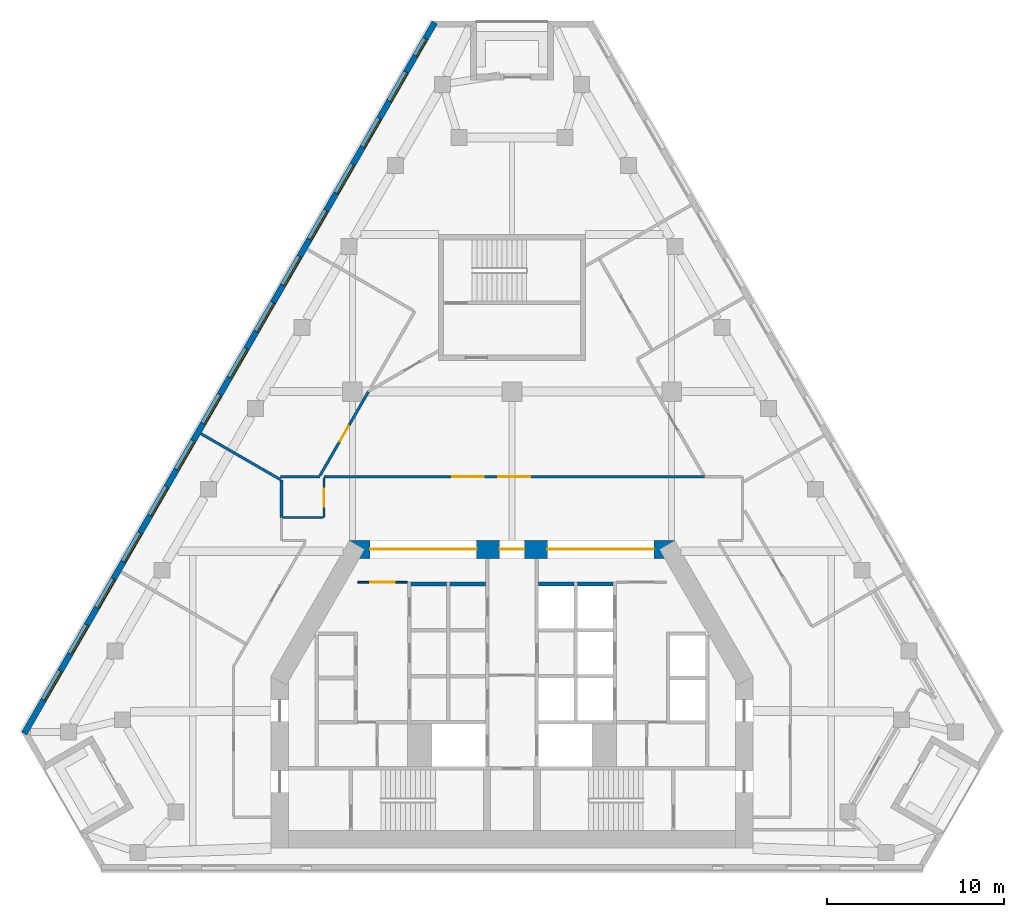
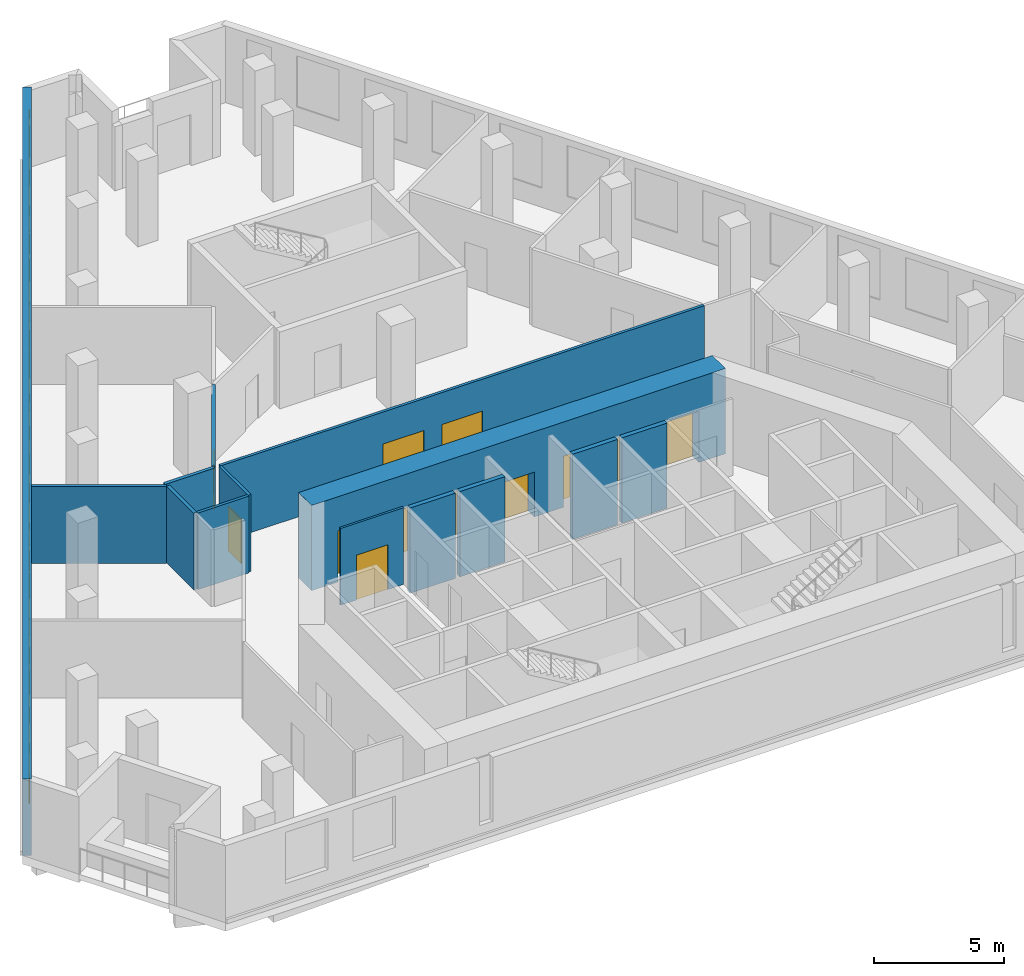
# One storey, part 5 of 9: 15 windows, 14 walls, 8 doors, 23 openings.
"""IFC4 building model written with IfcOpenShell, lengths in metres."""

from ifc_helpers import new_model, si_unit, direction, frame, frame_2d, origin, place, context, subcontext, project, spatial, rectangle, extrude, material, layer, layer_set, type_object, element, fill, save


model = new_model("IFC4")

# Units and contexts
model_context = context("Model", 3, precision=1e-05, world=origin(), true_north=direction((0.0, 1.0)))
body_context = subcontext(model_context, "Body", "Model", "MODEL_VIEW")
ifc_project = project(units=[si_unit("LENGTHUNIT", "METRE"), si_unit("AREAUNIT", "SQUARE_METRE"), si_unit("VOLUMEUNIT", "CUBIC_METRE"), si_unit("PLANEANGLEUNIT", "RADIAN"), si_unit("MASSUNIT", "GRAM", prefix="KILO")], contexts=[model_context])

# Site, building, storey
site_placement = place(None, origin())
site = spatial("IfcSite", under=ifc_project, at=site_placement, CompositionType="ELEMENT")
building_placement = place(site_placement, origin())
building = spatial("IfcBuilding", under=site, at=building_placement, Name="Fogline Exchange Tower", CompositionType="ELEMENT")
storey_placement = place(building_placement, frame((0.0, 0.0, 198.10009765625)))
storey = spatial("IfcBuildingStorey", under=building, at=storey_placement, Name="L44", CompositionType="ELEMENT", Elevation=198.10009765625)

# Wall, opening, door
ifc_material_1 = material(Name="Blockwork partition", Category="masonry")
ifc_layer_1 = layer(ifc_material_1, 0.10009765625)
ifc_layer_set_1 = layer_set([ifc_layer_1], Name="CW10")
wall_type_1 = type_object("IfcWallType", Name="CW10", PredefinedType="PARTITIONING", material=ifc_layer_set_1)
wall_1_placement = place(storey_placement, frame((-8.699951171875, 16.25, 0.0), z_axis=(0.0, 0.0, 1.0), x_axis=(1.0, 0.0, 0.0)))
wall_1 = element("IfcWall", 1, at=wall_1_placement, inside=storey, type_object=wall_type_1, Name="Lift lobby partition", PredefinedType="PARTITIONING", context=body_context, shape_type="SweptSolid", body=[
    extrude(rectangle(XDim=2.800048828125, YDim=0.10009765625, at=frame_2d((1.39990234375, 0.0))), origin(), (0.0, 0.0, 1.0), 3.599853515625),
])
opening_1_placement = place(wall_1_placement, frame((0.699951171875, 0.0, 0.0)))
opening_1 = element("IfcOpeningElement", 2, at=opening_1_placement, cuts=wall_1, Name="Opening T14-C011", PredefinedType="OPENING", context=body_context, shape_type="SweptSolid", body=[
    extrude(rectangle(XDim=1.39990234375, YDim=2.10009765625, at=frame_2d((0.699951171875, 1.050048828125))), frame((0.0, 0.06005859375, 0.0), z_axis=(0.0, -1.0, 0.0), x_axis=(1.0, 0.0, 0.0)), (0.0, 0.0, 1.0), 0.1201171875),
])
ifc_material_2 = material(Name="Steel and timber fire door", Category="steel")
door_type_1 = type_object("IfcDoorType", Name="D-LB1", OperationType="DOUBLE_DOOR_SINGLE_SWING", PredefinedType="DOOR", material=ifc_material_2)
door_1_placement = place(opening_1_placement, origin())
door_1 = element("IfcDoor", 3, at=door_1_placement, inside=storey, type_object=door_type_1, Name="Door to lift lobby", OperationType="DOUBLE_DOOR_SINGLE_SWING", OverallHeight=2.10009765625, OverallWidth=1.39990234375, PredefinedType="DOOR", context=body_context, shape_type="SweptSolid", body=[
    extrude(rectangle(XDim=1.39990234375, YDim=2.10009765625, at=frame_2d((0.699951171875, 1.050048828125))), frame((0.0, 0.02490234375, 0.0), z_axis=(0.0, -1.0, 0.0), x_axis=(1.0, 0.0, 0.0)), (0.0, 0.0, 1.0), 0.050048828125),
])
fill(opening_1, door_1)

# Walls
ifc_material_3 = material(Name="Concrete C40", Category="concrete")
ifc_layer_2 = layer(ifc_material_3, 0.199951171875)
ifc_layer_set_2 = layer_set([ifc_layer_2], Name="CW20S")
wall_type_2 = type_object("IfcWallType", Name="CW20S", PredefinedType="SOLIDWALL", material=ifc_layer_set_2)
for number, where, z_axis, x_axis, name in (
    (4, (-5.699951171875, 16.14990234375, -0.400146484375), (0.0, 0.0, 1.0), (1.0, 0.0, 0.0), "Lift shaft wall"),
    (5, (-3.5, 16.14990234375, -0.400146484375), (0.0, 0.0, 1.0), (1.0, 0.0, 0.0), "Lift shaft wall"),
    (6, (3.699951171875, 16.14990234375, -0.400146484375), (0.0, 0.0, 1.0), (1.0, 0.0, 0.0), "Lift shaft wall"),
    (7, (1.5, 16.14990234375, -0.400146484375), (0.0, 0.0, 1.0), (1.0, 0.0, 0.0), "Lift shaft wall"),
):
    element("IfcWall", number, at=place(storey_placement, frame(where, z_axis=z_axis, x_axis=x_axis)), inside=storey, type_object=wall_type_2, Name=name, PredefinedType="SOLIDWALL", context=body_context, shape_type="SweptSolid", body=[
        extrude(rectangle(XDim=2.0, YDim=0.199951171875, at=frame_2d((1.0, 0.0))), origin(), (0.0, 0.0, 1.0), 4.0),
    ])

# Wall, openings, windows
ifc_material_4 = material(Name="Brick masonry", Category="masonry")
ifc_layer_3 = layer(ifc_material_4, 0.340087890625)
ifc_layer_set_3 = layer_set([ifc_layer_3], Name="FW1")
wall_type_3 = type_object("IfcWallType", Name="FW1", PredefinedType="SOLIDWALL", material=ifc_layer_set_3)
wall_2_placement = place(storey_placement, frame((-4.352783203125, 47.821533203125, 0.0), z_axis=(0.0, 0.0, 1.0), x_axis=(-0.500001386688, -0.866024603178, 0.0)))
wall_2 = element("IfcWall", 8, at=wall_2_placement, inside=storey, type_object=wall_type_3, Name="Brick wall L44 W", PredefinedType="SOLIDWALL", context=body_context, shape_type="SweptSolid", body=[
    extrude(rectangle(XDim=46.317626953125, YDim=0.340087890625, at=frame_2d((23.15869140625, 0.0))), origin(), (0.0, 0.0, 1.0), 3.599853515625),
])
opening_2_placement = place(wall_2_placement, frame((3.23828125, 0.0, 0.89990234375)))
opening_2 = element("IfcOpeningElement", 9, at=opening_2_placement, cuts=wall_2, Name="Opening W1", PredefinedType="OPENING", context=body_context, shape_type="SweptSolid", body=[
    extrude(rectangle(XDim=1.885009765625, YDim=2.39990234375, at=frame_2d((0.9423828125, 1.199951171875))), frame((0.0, 0.18017578125, 0.0), z_axis=(0.0, -1.0, 0.0), x_axis=(1.0, 0.0, 0.0)), (0.0, 0.0, 1.0), 0.360107421875),
])
opening_3_placement = place(wall_2_placement, frame((6.23828125, 0.0, 0.89990234375)))
opening_3 = element("IfcOpeningElement", 10, at=opening_3_placement, cuts=wall_2, Name="Opening W1", PredefinedType="OPENING", context=body_context, shape_type="SweptSolid", body=[
    extrude(rectangle(XDim=1.885009765625, YDim=2.39990234375, at=frame_2d((0.9423828125, 1.199951171875))), frame((0.0, 0.18017578125, 0.0), z_axis=(0.0, -1.0, 0.0), x_axis=(1.0, 0.0, 0.0)), (0.0, 0.0, 1.0), 0.360107421875),
])
opening_4_placement = place(wall_2_placement, frame((9.23828125, 0.0, 0.89990234375)))
opening_4 = element("IfcOpeningElement", 11, at=opening_4_placement, cuts=wall_2, Name="Opening W1", PredefinedType="OPENING", context=body_context, shape_type="SweptSolid", body=[
    extrude(rectangle(XDim=1.885009765625, YDim=2.39990234375, at=frame_2d((0.9423828125, 1.199951171875))), frame((0.0, 0.18017578125, 0.0), z_axis=(0.0, -1.0, 0.0), x_axis=(1.0, 0.0, 0.0)), (0.0, 0.0, 1.0), 0.360107421875),
])
opening_5_placement = place(wall_2_placement, frame((12.23828125, 0.0, 0.89990234375)))
opening_5 = element("IfcOpeningElement", 12, at=opening_5_placement, cuts=wall_2, Name="Opening W1", PredefinedType="OPENING", context=body_context, shape_type="SweptSolid", body=[
    extrude(rectangle(XDim=1.885009765625, YDim=2.39990234375, at=frame_2d((0.9423828125, 1.199951171875))), frame((0.0, 0.18017578125, 0.0), z_axis=(0.0, -1.0, 0.0), x_axis=(1.0, 0.0, 0.0)), (0.0, 0.0, 1.0), 0.360107421875),
])
opening_6_placement = place(wall_2_placement, frame((15.23828125, 0.0, 0.89990234375)))
opening_6 = element("IfcOpeningElement", 13, at=opening_6_placement, cuts=wall_2, Name="Opening W1", PredefinedType="OPENING", context=body_context, shape_type="SweptSolid", body=[
    extrude(rectangle(XDim=1.885009765625, YDim=2.39990234375, at=frame_2d((0.9423828125, 1.199951171875))), frame((0.0, 0.18017578125, 0.0), z_axis=(0.0, -1.0, 0.0), x_axis=(1.0, 0.0, 0.0)), (0.0, 0.0, 1.0), 0.360107421875),
])
opening_7_placement = place(wall_2_placement, frame((18.23828125, 0.0, 0.89990234375)))
opening_7 = element("IfcOpeningElement", 14, at=opening_7_placement, cuts=wall_2, Name="Opening W1", PredefinedType="OPENING", context=body_context, shape_type="SweptSolid", body=[
    extrude(rectangle(XDim=1.885009765625, YDim=2.39990234375, at=frame_2d((0.9423828125, 1.199951171875))), frame((0.0, 0.18017578125, 0.0), z_axis=(0.0, -1.0, 0.0), x_axis=(1.0, 0.0, 0.0)), (0.0, 0.0, 1.0), 0.360107421875),
])
opening_8_placement = place(wall_2_placement, frame((21.23828125, 0.0, 0.89990234375)))
opening_8 = element("IfcOpeningElement", 15, at=opening_8_placement, cuts=wall_2, Name="Opening W1", PredefinedType="OPENING", context=body_context, shape_type="SweptSolid", body=[
    extrude(rectangle(XDim=1.885009765625, YDim=2.39990234375, at=frame_2d((0.9423828125, 1.199951171875))), frame((0.0, 0.18017578125, 0.0), z_axis=(0.0, -1.0, 0.0), x_axis=(1.0, 0.0, 0.0)), (0.0, 0.0, 1.0), 0.360107421875),
])
opening_9_placement = place(wall_2_placement, frame((24.23828125, 0.0, 0.89990234375)))
opening_9 = element("IfcOpeningElement", 16, at=opening_9_placement, cuts=wall_2, Name="Opening W1", PredefinedType="OPENING", context=body_context, shape_type="SweptSolid", body=[
    extrude(rectangle(XDim=1.885009765625, YDim=2.39990234375, at=frame_2d((0.9423828125, 1.199951171875))), frame((0.0, 0.18017578125, 0.0), z_axis=(0.0, -1.0, 0.0), x_axis=(1.0, 0.0, 0.0)), (0.0, 0.0, 1.0), 0.360107421875),
])
opening_10_placement = place(wall_2_placement, frame((27.23828125, 0.0, 0.89990234375)))
opening_10 = element("IfcOpeningElement", 17, at=opening_10_placement, cuts=wall_2, Name="Opening W1", PredefinedType="OPENING", context=body_context, shape_type="SweptSolid", body=[
    extrude(rectangle(XDim=1.885009765625, YDim=2.39990234375, at=frame_2d((0.9423828125, 1.199951171875))), frame((0.0, 0.18017578125, 0.0), z_axis=(0.0, -1.0, 0.0), x_axis=(1.0, 0.0, 0.0)), (0.0, 0.0, 1.0), 0.360107421875),
])
opening_11_placement = place(wall_2_placement, frame((30.23828125, 0.0, 0.89990234375)))
opening_11 = element("IfcOpeningElement", 18, at=opening_11_placement, cuts=wall_2, Name="Opening W1", PredefinedType="OPENING", context=body_context, shape_type="SweptSolid", body=[
    extrude(rectangle(XDim=1.885009765625, YDim=2.39990234375, at=frame_2d((0.9423828125, 1.199951171875))), frame((0.0, 0.18017578125, 0.0), z_axis=(0.0, -1.0, 0.0), x_axis=(1.0, 0.0, 0.0)), (0.0, 0.0, 1.0), 0.360107421875),
])
opening_12_placement = place(wall_2_placement, frame((33.23828125, 0.0, 0.89990234375)))
opening_12 = element("IfcOpeningElement", 19, at=opening_12_placement, cuts=wall_2, Name="Opening W1", PredefinedType="OPENING", context=body_context, shape_type="SweptSolid", body=[
    extrude(rectangle(XDim=1.885009765625, YDim=2.39990234375, at=frame_2d((0.9423828125, 1.199951171875))), frame((0.0, 0.18017578125, 0.0), z_axis=(0.0, -1.0, 0.0), x_axis=(1.0, 0.0, 0.0)), (0.0, 0.0, 1.0), 0.360107421875),
])
opening_13_placement = place(wall_2_placement, frame((36.23828125, 0.0, 0.89990234375)))
opening_13 = element("IfcOpeningElement", 20, at=opening_13_placement, cuts=wall_2, Name="Opening W1", PredefinedType="OPENING", context=body_context, shape_type="SweptSolid", body=[
    extrude(rectangle(XDim=1.885009765625, YDim=2.39990234375, at=frame_2d((0.9423828125, 1.199951171875))), frame((0.0, 0.18017578125, 0.0), z_axis=(0.0, -1.0, 0.0), x_axis=(1.0, 0.0, 0.0)), (0.0, 0.0, 1.0), 0.360107421875),
])
opening_14_placement = place(wall_2_placement, frame((39.23828125, 0.0, 0.89990234375)))
opening_14 = element("IfcOpeningElement", 21, at=opening_14_placement, cuts=wall_2, Name="Opening W1", PredefinedType="OPENING", context=body_context, shape_type="SweptSolid", body=[
    extrude(rectangle(XDim=1.885009765625, YDim=2.39990234375, at=frame_2d((0.9423828125, 1.199951171875))), frame((0.0, 0.18017578125, 0.0), z_axis=(0.0, -1.0, 0.0), x_axis=(1.0, 0.0, 0.0)), (0.0, 0.0, 1.0), 0.360107421875),
])
opening_15_placement = place(wall_2_placement, frame((42.23828125, 0.0, 0.89990234375)))
opening_15 = element("IfcOpeningElement", 22, at=opening_15_placement, cuts=wall_2, Name="Opening W1", PredefinedType="OPENING", context=body_context, shape_type="SweptSolid", body=[
    extrude(rectangle(XDim=1.885009765625, YDim=2.39990234375, at=frame_2d((0.9423828125, 1.199951171875))), frame((0.0, 0.18017578125, 0.0), z_axis=(0.0, -1.0, 0.0), x_axis=(1.0, 0.0, 0.0)), (0.0, 0.0, 1.0), 0.360107421875),
])
opening_16_placement = place(wall_2_placement, frame((1.061767578125, 0.0, 0.89990234375)))
opening_16 = element("IfcOpeningElement", 23, at=opening_16_placement, cuts=wall_2, Name="Opening W4", PredefinedType="OPENING", context=body_context, shape_type="SweptSolid", body=[
    extrude(rectangle(XDim=1.114990234375, YDim=2.39990234375, at=frame_2d((0.5576171875, 1.199951171875))), frame((0.0, 0.18017578125, 0.0), z_axis=(0.0, -1.0, 0.0), x_axis=(1.0, 0.0, 0.0)), (0.0, 0.0, 1.0), 0.360107421875),
])
ifc_material_5 = material(Name="Aluminium and glass", Category="aluminium")
window_type_1 = type_object("IfcWindowType", Name="W1", PartitioningType="SINGLE_PANEL", PredefinedType="WINDOW", material=ifc_material_5)
window_1_placement = place(opening_2_placement, origin())
window_1 = element("IfcWindow", 24, at=window_1_placement, inside=storey, type_object=window_type_1, Name="W1 W1", OverallHeight=2.39990234375, OverallWidth=1.885009765625, PartitioningType="SINGLE_PANEL", PredefinedType="WINDOW", context=body_context, shape_type="SweptSolid", body=[
    extrude(rectangle(XDim=1.885009765625, YDim=2.39990234375, at=frame_2d((0.9423828125, 1.199951171875))), frame((0.0, 0.110107421875, 0.0), z_axis=(0.0, -1.0, 0.0), x_axis=(1.0, 0.0, 0.0)), (0.0, 0.0, 1.0), 0.06005859375),
])
fill(opening_2, window_1)
window_2_placement = place(opening_3_placement, origin())
window_2 = element("IfcWindow", 25, at=window_2_placement, inside=storey, type_object=window_type_1, Name="W1 W1", OverallHeight=2.39990234375, OverallWidth=1.885009765625, PartitioningType="SINGLE_PANEL", PredefinedType="WINDOW", context=body_context, shape_type="SweptSolid", body=[
    extrude(rectangle(XDim=1.885009765625, YDim=2.39990234375, at=frame_2d((0.9423828125, 1.199951171875))), frame((0.0, 0.110107421875, 0.0), z_axis=(0.0, -1.0, 0.0), x_axis=(1.0, 0.0, 0.0)), (0.0, 0.0, 1.0), 0.06005859375),
])
fill(opening_3, window_2)
window_3_placement = place(opening_4_placement, origin())
window_3 = element("IfcWindow", 26, at=window_3_placement, inside=storey, type_object=window_type_1, Name="W1 W1", OverallHeight=2.39990234375, OverallWidth=1.885009765625, PartitioningType="SINGLE_PANEL", PredefinedType="WINDOW", context=body_context, shape_type="SweptSolid", body=[
    extrude(rectangle(XDim=1.885009765625, YDim=2.39990234375, at=frame_2d((0.9423828125, 1.199951171875))), frame((0.0, 0.110107421875, 0.0), z_axis=(0.0, -1.0, 0.0), x_axis=(1.0, 0.0, 0.0)), (0.0, 0.0, 1.0), 0.06005859375),
])
fill(opening_4, window_3)
window_4_placement = place(opening_5_placement, origin())
window_4 = element("IfcWindow", 27, at=window_4_placement, inside=storey, type_object=window_type_1, Name="W1 W1", OverallHeight=2.39990234375, OverallWidth=1.885009765625, PartitioningType="SINGLE_PANEL", PredefinedType="WINDOW", context=body_context, shape_type="SweptSolid", body=[
    extrude(rectangle(XDim=1.885009765625, YDim=2.39990234375, at=frame_2d((0.9423828125, 1.199951171875))), frame((0.0, 0.110107421875, 0.0), z_axis=(0.0, -1.0, 0.0), x_axis=(1.0, 0.0, 0.0)), (0.0, 0.0, 1.0), 0.06005859375),
])
fill(opening_5, window_4)
window_5_placement = place(opening_6_placement, origin())
window_5 = element("IfcWindow", 28, at=window_5_placement, inside=storey, type_object=window_type_1, Name="W1 W1", OverallHeight=2.39990234375, OverallWidth=1.885009765625, PartitioningType="SINGLE_PANEL", PredefinedType="WINDOW", context=body_context, shape_type="SweptSolid", body=[
    extrude(rectangle(XDim=1.885009765625, YDim=2.39990234375, at=frame_2d((0.9423828125, 1.199951171875))), frame((0.0, 0.110107421875, 0.0), z_axis=(0.0, -1.0, 0.0), x_axis=(1.0, 0.0, 0.0)), (0.0, 0.0, 1.0), 0.06005859375),
])
fill(opening_6, window_5)
window_6_placement = place(opening_7_placement, origin())
window_6 = element("IfcWindow", 29, at=window_6_placement, inside=storey, type_object=window_type_1, Name="W1 W1", OverallHeight=2.39990234375, OverallWidth=1.885009765625, PartitioningType="SINGLE_PANEL", PredefinedType="WINDOW", context=body_context, shape_type="SweptSolid", body=[
    extrude(rectangle(XDim=1.885009765625, YDim=2.39990234375, at=frame_2d((0.9423828125, 1.199951171875))), frame((0.0, 0.110107421875, 0.0), z_axis=(0.0, -1.0, 0.0), x_axis=(1.0, 0.0, 0.0)), (0.0, 0.0, 1.0), 0.06005859375),
])
fill(opening_7, window_6)
window_7_placement = place(opening_8_placement, origin())
window_7 = element("IfcWindow", 30, at=window_7_placement, inside=storey, type_object=window_type_1, Name="W1 W1", OverallHeight=2.39990234375, OverallWidth=1.885009765625, PartitioningType="SINGLE_PANEL", PredefinedType="WINDOW", context=body_context, shape_type="SweptSolid", body=[
    extrude(rectangle(XDim=1.885009765625, YDim=2.39990234375, at=frame_2d((0.9423828125, 1.199951171875))), frame((0.0, 0.110107421875, 0.0), z_axis=(0.0, -1.0, 0.0), x_axis=(1.0, 0.0, 0.0)), (0.0, 0.0, 1.0), 0.06005859375),
])
fill(opening_8, window_7)
window_8_placement = place(opening_9_placement, origin())
window_8 = element("IfcWindow", 31, at=window_8_placement, inside=storey, type_object=window_type_1, Name="W1 W1", OverallHeight=2.39990234375, OverallWidth=1.885009765625, PartitioningType="SINGLE_PANEL", PredefinedType="WINDOW", context=body_context, shape_type="SweptSolid", body=[
    extrude(rectangle(XDim=1.885009765625, YDim=2.39990234375, at=frame_2d((0.9423828125, 1.199951171875))), frame((0.0, 0.110107421875, 0.0), z_axis=(0.0, -1.0, 0.0), x_axis=(1.0, 0.0, 0.0)), (0.0, 0.0, 1.0), 0.06005859375),
])
fill(opening_9, window_8)
window_9_placement = place(opening_10_placement, origin())
window_9 = element("IfcWindow", 32, at=window_9_placement, inside=storey, type_object=window_type_1, Name="W1 W1", OverallHeight=2.39990234375, OverallWidth=1.885009765625, PartitioningType="SINGLE_PANEL", PredefinedType="WINDOW", context=body_context, shape_type="SweptSolid", body=[
    extrude(rectangle(XDim=1.885009765625, YDim=2.39990234375, at=frame_2d((0.9423828125, 1.199951171875))), frame((0.0, 0.110107421875, 0.0), z_axis=(0.0, -1.0, 0.0), x_axis=(1.0, 0.0, 0.0)), (0.0, 0.0, 1.0), 0.06005859375),
])
fill(opening_10, window_9)
window_10_placement = place(opening_11_placement, origin())
window_10 = element("IfcWindow", 33, at=window_10_placement, inside=storey, type_object=window_type_1, Name="W1 W1", OverallHeight=2.39990234375, OverallWidth=1.885009765625, PartitioningType="SINGLE_PANEL", PredefinedType="WINDOW", context=body_context, shape_type="SweptSolid", body=[
    extrude(rectangle(XDim=1.885009765625, YDim=2.39990234375, at=frame_2d((0.9423828125, 1.199951171875))), frame((0.0, 0.110107421875, 0.0), z_axis=(0.0, -1.0, 0.0), x_axis=(1.0, 0.0, 0.0)), (0.0, 0.0, 1.0), 0.06005859375),
])
fill(opening_11, window_10)
window_11_placement = place(opening_12_placement, origin())
window_11 = element("IfcWindow", 34, at=window_11_placement, inside=storey, type_object=window_type_1, Name="W1 W1", OverallHeight=2.39990234375, OverallWidth=1.885009765625, PartitioningType="SINGLE_PANEL", PredefinedType="WINDOW", context=body_context, shape_type="SweptSolid", body=[
    extrude(rectangle(XDim=1.885009765625, YDim=2.39990234375, at=frame_2d((0.9423828125, 1.199951171875))), frame((0.0, 0.110107421875, 0.0), z_axis=(0.0, -1.0, 0.0), x_axis=(1.0, 0.0, 0.0)), (0.0, 0.0, 1.0), 0.06005859375),
])
fill(opening_12, window_11)
window_12_placement = place(opening_13_placement, origin())
window_12 = element("IfcWindow", 35, at=window_12_placement, inside=storey, type_object=window_type_1, Name="W1 W1", OverallHeight=2.39990234375, OverallWidth=1.885009765625, PartitioningType="SINGLE_PANEL", PredefinedType="WINDOW", context=body_context, shape_type="SweptSolid", body=[
    extrude(rectangle(XDim=1.885009765625, YDim=2.39990234375, at=frame_2d((0.9423828125, 1.199951171875))), frame((0.0, 0.110107421875, 0.0), z_axis=(0.0, -1.0, 0.0), x_axis=(1.0, 0.0, 0.0)), (0.0, 0.0, 1.0), 0.06005859375),
])
fill(opening_13, window_12)
window_13_placement = place(opening_14_placement, origin())
window_13 = element("IfcWindow", 36, at=window_13_placement, inside=storey, type_object=window_type_1, Name="W1 W1", OverallHeight=2.39990234375, OverallWidth=1.885009765625, PartitioningType="SINGLE_PANEL", PredefinedType="WINDOW", context=body_context, shape_type="SweptSolid", body=[
    extrude(rectangle(XDim=1.885009765625, YDim=2.39990234375, at=frame_2d((0.9423828125, 1.199951171875))), frame((0.0, 0.110107421875, 0.0), z_axis=(0.0, -1.0, 0.0), x_axis=(1.0, 0.0, 0.0)), (0.0, 0.0, 1.0), 0.06005859375),
])
fill(opening_14, window_13)
window_14_placement = place(opening_15_placement, origin())
window_14 = element("IfcWindow", 37, at=window_14_placement, inside=storey, type_object=window_type_1, Name="W1 W1", OverallHeight=2.39990234375, OverallWidth=1.885009765625, PartitioningType="SINGLE_PANEL", PredefinedType="WINDOW", context=body_context, shape_type="SweptSolid", body=[
    extrude(rectangle(XDim=1.885009765625, YDim=2.39990234375, at=frame_2d((0.9423828125, 1.199951171875))), frame((0.0, 0.110107421875, 0.0), z_axis=(0.0, -1.0, 0.0), x_axis=(1.0, 0.0, 0.0)), (0.0, 0.0, 1.0), 0.06005859375),
])
fill(opening_15, window_14)
window_type_2 = type_object("IfcWindowType", Name="W4", PartitioningType="SINGLE_PANEL", PredefinedType="WINDOW", material=ifc_material_5)
window_15_placement = place(opening_16_placement, origin())
window_15 = element("IfcWindow", 38, at=window_15_placement, inside=storey, type_object=window_type_2, Name="W4 W4", OverallHeight=2.39990234375, OverallWidth=1.114990234375, PartitioningType="SINGLE_PANEL", PredefinedType="WINDOW", context=body_context, shape_type="SweptSolid", body=[
    extrude(rectangle(XDim=1.114990234375, YDim=2.39990234375, at=frame_2d((0.5576171875, 1.199951171875))), frame((0.0, 0.110107421875, 0.0), z_axis=(0.0, -1.0, 0.0), x_axis=(1.0, 0.0, 0.0)), (0.0, 0.0, 1.0), 0.06005859375),
])
fill(opening_16, window_15)

# Wall, openings, doors
ifc_material_6 = material(Name="Plasterboard corridor partition with mineral wool, 2 layers each side")
ifc_layer_4 = layer(ifc_material_6, 0.125)
ifc_layer_set_4 = layer_set([ifc_layer_4], Name="PW2")
wall_type_4 = type_object("IfcWallType", Name="PW2", PredefinedType="PARTITIONING", material=ifc_layer_set_4)
wall_3_placement = place(storey_placement, frame((-10.60009765625, 22.199951171875, 0.0), z_axis=(0.0, 0.0, 1.0), x_axis=(1.0, 0.0, 0.0)))
wall_3 = element("IfcWall", 39, at=wall_3_placement, inside=storey, type_object=wall_type_4, Name="wall-L44-W007", PredefinedType="PARTITIONING", context=body_context, shape_type="SweptSolid", body=[
    extrude(rectangle(XDim=21.46630859375, YDim=0.125, at=frame_2d((10.733154296875, 0.0))), origin(), (0.0, 0.0, 1.0), 3.599853515625),
])
opening_17_placement = place(wall_3_placement, frame((7.219482421875, 0.0, 0.0)))
opening_17 = element("IfcOpeningElement", 40, at=opening_17_placement, cuts=wall_3, Name="Opening T14-D002", PredefinedType="OPENING", context=body_context, shape_type="SweptSolid", body=[
    extrude(rectangle(XDim=1.800048828125, YDim=2.10009765625, at=frame_2d((0.89990234375, 1.050048828125))), frame((0.0, 0.072509765625, 0.0), z_axis=(0.0, -1.0, 0.0), x_axis=(1.0, 0.0, 0.0)), (0.0, 0.0, 1.0), 0.14501953125),
])
opening_18_placement = place(wall_3_placement, frame((9.8330078125, 0.0, 0.0)))
opening_18 = element("IfcOpeningElement", 41, at=opening_18_placement, cuts=wall_3, Name="Opening T14-D003", PredefinedType="OPENING", context=body_context, shape_type="SweptSolid", body=[
    extrude(rectangle(XDim=1.800048828125, YDim=2.10009765625, at=frame_2d((0.89990234375, 1.050048828125))), frame((0.0, 0.072509765625, 0.0), z_axis=(0.0, -1.0, 0.0), x_axis=(1.0, 0.0, 0.0)), (0.0, 0.0, 1.0), 0.14501953125),
])
ifc_material_7 = material(Name="Fire-rated timber door leaves with steel frame", Category="steel")
door_type_2 = type_object("IfcDoorType", Name="D4", OperationType="DOUBLE_DOOR_SINGLE_SWING", PredefinedType="DOOR", material=ifc_material_7)
door_2_placement = place(opening_17_placement, frame((1.800048828125, 0.0, 0.0), z_axis=(0.0, 0.0, 1.0), x_axis=(-1.0, 0.0, 0.0)))
door_2 = element("IfcDoor", 42, at=door_2_placement, inside=storey, type_object=door_type_2, Name="door-L44-D002", OperationType="DOUBLE_DOOR_SINGLE_SWING", OverallHeight=2.10009765625, OverallWidth=1.800048828125, PredefinedType="DOOR", context=body_context, shape_type="SweptSolid", body=[
    extrude(rectangle(XDim=1.800048828125, YDim=2.10009765625, at=frame_2d((0.89990234375, 1.050048828125))), frame((0.0, 0.02490234375, 0.0), z_axis=(0.0, -1.0, 0.0), x_axis=(1.0, 0.0, 0.0)), (0.0, 0.0, 1.0), 0.050048828125),
])
fill(opening_17, door_2)
door_3_placement = place(opening_18_placement, frame((1.800048828125, 0.0, 0.0), z_axis=(0.0, 0.0, 1.0), x_axis=(-1.0, 0.0, 0.0)))
door_3 = element("IfcDoor", 43, at=door_3_placement, inside=storey, type_object=door_type_2, Name="door-L44-D003", OperationType="DOUBLE_DOOR_SINGLE_SWING", OverallHeight=2.10009765625, OverallWidth=1.800048828125, PredefinedType="DOOR", context=body_context, shape_type="SweptSolid", body=[
    extrude(rectangle(XDim=1.800048828125, YDim=2.10009765625, at=frame_2d((0.89990234375, 1.050048828125))), frame((0.0, 0.02490234375, 0.0), z_axis=(0.0, -1.0, 0.0), x_axis=(1.0, 0.0, 0.0)), (0.0, 0.0, 1.0), 0.050048828125),
])
fill(opening_18, door_3)

# Wall
wall_4_placement = place(storey_placement, frame((-12.925048828125, 19.89990234375, 0.0), z_axis=(0.0, 0.0, 1.0), x_axis=(1.0, 0.0, 0.0)))
element("IfcWall", 44, at=wall_4_placement, inside=storey, type_object=wall_type_4, Name="wall-L44-W008", PredefinedType="PARTITIONING", context=body_context, shape_type="SweptSolid", body=[
    extrude(rectangle(XDim=2.262451171875, YDim=0.125, at=frame_2d((1.13134765625, 0.0))), origin(), (0.0, 0.0, 1.0), 3.599853515625),
])

# Wall, opening, door
wall_5_placement = place(storey_placement, frame((-10.60009765625, 19.89990234375, 0.0), z_axis=(0.0, 0.0, 1.0), x_axis=(0.0, 1.0, 0.0)))
wall_5 = element("IfcWall", 45, at=wall_5_placement, inside=storey, type_object=wall_type_4, Name="wall-L44-W009", PredefinedType="PARTITIONING", context=body_context, shape_type="SweptSolid", body=[
    extrude(rectangle(XDim=2.237060546875, YDim=0.125, at=frame_2d((1.11865234375, 0.0))), origin(), (0.0, 0.0, 1.0), 3.599853515625),
])
opening_19_placement = place(wall_5_placement, frame((0.618408203125, 0.0, 0.0)))
opening_19 = element("IfcOpeningElement", 46, at=opening_19_placement, cuts=wall_5, Name="Opening T14-D004", PredefinedType="OPENING", context=body_context, shape_type="SweptSolid", body=[
    extrude(rectangle(XDim=1.0, YDim=2.10009765625, at=frame_2d((0.5, 1.050048828125))), frame((0.0, 0.072509765625, 0.0), z_axis=(0.0, -1.0, 0.0), x_axis=(1.0, 0.0, 0.0)), (0.0, 0.0, 1.0), 0.14501953125),
])
ifc_material_8 = material(Name="Fire-rated timber door leaf with steel frame", Category="steel")
door_type_3 = type_object("IfcDoorType", Name="D3", OperationType="SINGLE_SWING_LEFT", PredefinedType="DOOR", material=ifc_material_8)
door_4_placement = place(opening_19_placement, origin())
door_4 = element("IfcDoor", 47, at=door_4_placement, inside=storey, type_object=door_type_3, Name="door-L44-D004", OperationType="SINGLE_SWING_LEFT", OverallHeight=2.10009765625, OverallWidth=1.0, PredefinedType="DOOR", context=body_context, shape_type="SweptSolid", body=[
    extrude(rectangle(XDim=1.0, YDim=2.10009765625, at=frame_2d((0.5, 1.050048828125))), frame((0.0, 0.02490234375, 0.0), z_axis=(0.0, -1.0, 0.0), x_axis=(1.0, 0.0, 0.0)), (0.0, 0.0, 1.0), 0.050048828125),
])
fill(opening_19, door_4)

ifc_material_9 = material(Name="Plasterboard demising partition with mineral wool and acoustic board")
ifc_layer_5 = layer(ifc_material_9, 0.14990234375)
ifc_layer_set_5 = layer_set([ifc_layer_5], Name="PW3")
wall_type_5 = type_object("IfcWallType", Name="PW3", PredefinedType="PARTITIONING", material=ifc_layer_set_5)
wall_6_placement = place(storey_placement, frame((-10.822998046875, 22.27490234375, 0.0), z_axis=(0.0, 0.0, 1.0), x_axis=(0.500003308737, 0.866023493476, 0.0)))
wall_6 = element("IfcWall", 48, at=wall_6_placement, inside=storey, type_object=wall_type_5, Name="wall-L44-W029", PredefinedType="PARTITIONING", context=body_context, shape_type="SweptSolid", body=[
    extrude(rectangle(XDim=5.44287109375, YDim=0.14990234375, at=frame_2d((2.721435546875, 0.0))), origin(), (0.0, 0.0, 1.0), 3.599853515625),
])
opening_20_placement = place(wall_6_placement, frame((2.22119140625, 0.0, 0.0)))
opening_20 = element("IfcOpeningElement", 49, at=opening_20_placement, cuts=wall_6, Name="Opening T14-D011", PredefinedType="OPENING", context=body_context, shape_type="SweptSolid", body=[
    extrude(rectangle(XDim=1.0, YDim=2.10009765625, at=frame_2d((0.5, 1.050048828125))), frame((0.0, 0.0849609375, 0.0), z_axis=(0.0, -1.0, 0.0), x_axis=(1.0, 0.0, 0.0)), (0.0, 0.0, 1.0), 0.169921875),
])
door_5_placement = place(opening_20_placement, origin())
door_5 = element("IfcDoor", 50, at=door_5_placement, inside=storey, type_object=door_type_3, Name="door-L44-D011", OperationType="SINGLE_SWING_LEFT", OverallHeight=2.10009765625, OverallWidth=1.0, PredefinedType="DOOR", context=body_context, shape_type="SweptSolid", body=[
    extrude(rectangle(XDim=1.0, YDim=2.10009765625, at=frame_2d((0.5, 1.050048828125))), frame((0.0, 0.02490234375, 0.0), z_axis=(0.0, -1.0, 0.0), x_axis=(1.0, 0.0, 0.0)), (0.0, 0.0, 1.0), 0.050048828125),
])
fill(opening_20, door_5)

# Walls
wall_7_placement = place(storey_placement, frame((-10.822265625, 22.199951171875, 0.0), z_axis=(0.0, 0.0, 1.0), x_axis=(-1.0, 0.0, 0.0)))
element("IfcWall", 51, at=wall_7_placement, inside=storey, type_object=wall_type_5, Name="wall-L44-W032", PredefinedType="PARTITIONING", context=body_context, shape_type="SweptSolid", body=[
    extrude(rectangle(XDim=2.234375, YDim=0.14990234375, at=frame_2d((1.1171875, 0.0))), origin(), (0.0, 0.0, 1.0), 3.599853515625),
])
wall_8_placement = place(storey_placement, frame((-13.055908203125, 22.0380859375, 0.0), z_axis=(0.0, 0.0, 1.0), x_axis=(-0.866026398849, 0.499998276493, 0.0)))
element("IfcWall", 52, at=wall_8_placement, inside=storey, type_object=wall_type_5, Name="wall-L44-W033", PredefinedType="PARTITIONING", context=body_context, shape_type="SweptSolid", body=[
    extrude(rectangle(XDim=5.1845703125, YDim=0.14990234375, at=frame_2d((2.59228515625, 0.0))), origin(), (0.0, 0.0, 1.0), 3.599853515625),
])
wall_9_placement = place(storey_placement, frame((-13.0, 19.89990234375, 0.0), z_axis=(0.0, 0.0, 1.0), x_axis=(0.0, 1.0, 0.0)))
element("IfcWall", 53, at=wall_9_placement, inside=storey, type_object=wall_type_5, Name="wall-L44-W034", PredefinedType="PARTITIONING", context=body_context, shape_type="SweptSolid", body=[
    extrude(rectangle(XDim=2.105712890625, YDim=0.14990234375, at=frame_2d((1.052734375, 0.0))), origin(), (0.0, 0.0, 1.0), 3.599853515625),
])

# Wall, openings, doors
ifc_material_10 = material(Name="Concrete C60", Category="concrete")
ifc_layer_6 = layer(ifc_material_10, 1.0)
ifc_layer_set_6 = layer_set([ifc_layer_6], Name="SW03")
wall_type_6 = type_object("IfcWallType", Name="SW03", PredefinedType="SHEAR", material=ifc_layer_set_6)
wall_10_placement = place(storey_placement, frame((9.1806640625, 18.10009765625, 0.0), z_axis=(0.0, 0.0, 1.0), x_axis=(-1.0, 0.0, 0.0)))
wall_10 = element("IfcWall", 54, at=wall_10_placement, inside=storey, type_object=wall_type_6, Name="L44-W904", PredefinedType="SHEAR", context=body_context, shape_type="SweptSolid", body=[
    extrude(rectangle(XDim=18.361328125, YDim=1.0, at=frame_2d((9.1806640625, 0.0))), origin(), (0.0, 0.0, 1.0), 4.0),
])
opening_21_placement = place(wall_10_placement, frame((8.480712890625, 0.0, 0.0)))
opening_21 = element("IfcOpeningElement", 55, at=opening_21_placement, cuts=wall_10, Name="Opening T14-C024", PredefinedType="OPENING", context=body_context, shape_type="SweptSolid", body=[
    extrude(rectangle(XDim=1.39990234375, YDim=2.10009765625, at=frame_2d((0.699951171875, 1.050048828125))), frame((0.0, 0.510009765625, 0.0), z_axis=(0.0, -1.0, 0.0), x_axis=(1.0, 0.0, 0.0)), (0.0, 0.0, 1.0), 1.02001953125),
])
opening_22_placement = place(wall_10_placement, frame((11.1806640625, 0.0, 0.0)))
opening_22 = element("IfcOpeningElement", 56, at=opening_22_placement, cuts=wall_10, Name="Opening T14-C025", PredefinedType="OPENING", context=body_context, shape_type="SweptSolid", body=[
    extrude(rectangle(XDim=6.0, YDim=2.39990234375, at=frame_2d((3.0, 1.199951171875))), frame((0.0, 0.510009765625, 0.0), z_axis=(0.0, -1.0, 0.0), x_axis=(1.0, 0.0, 0.0)), (0.0, 0.0, 1.0), 1.02001953125),
])
opening_23_placement = place(wall_10_placement, frame((1.1806640625, 0.0, 0.0)))
opening_23 = element("IfcOpeningElement", 57, at=opening_23_placement, cuts=wall_10, Name="Opening T14-C026", PredefinedType="OPENING", context=body_context, shape_type="SweptSolid", body=[
    extrude(rectangle(XDim=6.0, YDim=2.39990234375, at=frame_2d((3.0, 1.199951171875))), frame((0.0, 0.510009765625, 0.0), z_axis=(0.0, -1.0, 0.0), x_axis=(1.0, 0.0, 0.0)), (0.0, 0.0, 1.0), 1.02001953125),
])
door_6_placement = place(opening_21_placement, origin())
door_6 = element("IfcDoor", 58, at=door_6_placement, inside=storey, type_object=door_type_1, Name="Protected lobby door", OperationType="DOUBLE_DOOR_SINGLE_SWING", OverallHeight=2.10009765625, OverallWidth=1.39990234375, PredefinedType="DOOR", context=body_context, shape_type="SweptSolid", body=[
    extrude(rectangle(XDim=1.39990234375, YDim=2.10009765625, at=frame_2d((0.699951171875, 1.050048828125))), frame((0.0, 0.02490234375, 0.0), z_axis=(0.0, -1.0, 0.0), x_axis=(1.0, 0.0, 0.0)), (0.0, 0.0, 1.0), 0.050048828125),
])
fill(opening_21, door_6)
door_type_4 = type_object("IfcDoorType", Name="D-LE1", OperationType="DOUBLE_DOOR_SLIDING", PredefinedType="DOOR", material=ifc_material_2)
door_7_placement = place(opening_22_placement, origin())
door_7 = element("IfcDoor", 59, at=door_7_placement, inside=storey, type_object=door_type_4, Name="Lift lobby entrance west", OperationType="DOUBLE_DOOR_SLIDING", OverallHeight=2.39990234375, OverallWidth=6.0, PredefinedType="DOOR", context=body_context, shape_type="SweptSolid", body=[
    extrude(rectangle(XDim=6.0, YDim=2.39990234375, at=frame_2d((3.0, 1.199951171875))), frame((0.0, 0.02490234375, 0.0), z_axis=(0.0, -1.0, 0.0), x_axis=(1.0, 0.0, 0.0)), (0.0, 0.0, 1.0), 0.050048828125),
])
fill(opening_22, door_7)
door_8_placement = place(opening_23_placement, origin())
door_8 = element("IfcDoor", 60, at=door_8_placement, inside=storey, type_object=door_type_4, Name="Lift lobby entrance east", OperationType="DOUBLE_DOOR_SLIDING", OverallHeight=2.39990234375, OverallWidth=6.0, PredefinedType="DOOR", context=body_context, shape_type="SweptSolid", body=[
    extrude(rectangle(XDim=6.0, YDim=2.39990234375, at=frame_2d((3.0, 1.199951171875))), frame((0.0, 0.02490234375, 0.0), z_axis=(0.0, -1.0, 0.0), x_axis=(1.0, 0.0, 0.0)), (0.0, 0.0, 1.0), 0.050048828125),
])
fill(opening_23, door_8)

save(model, "model.ifc")
